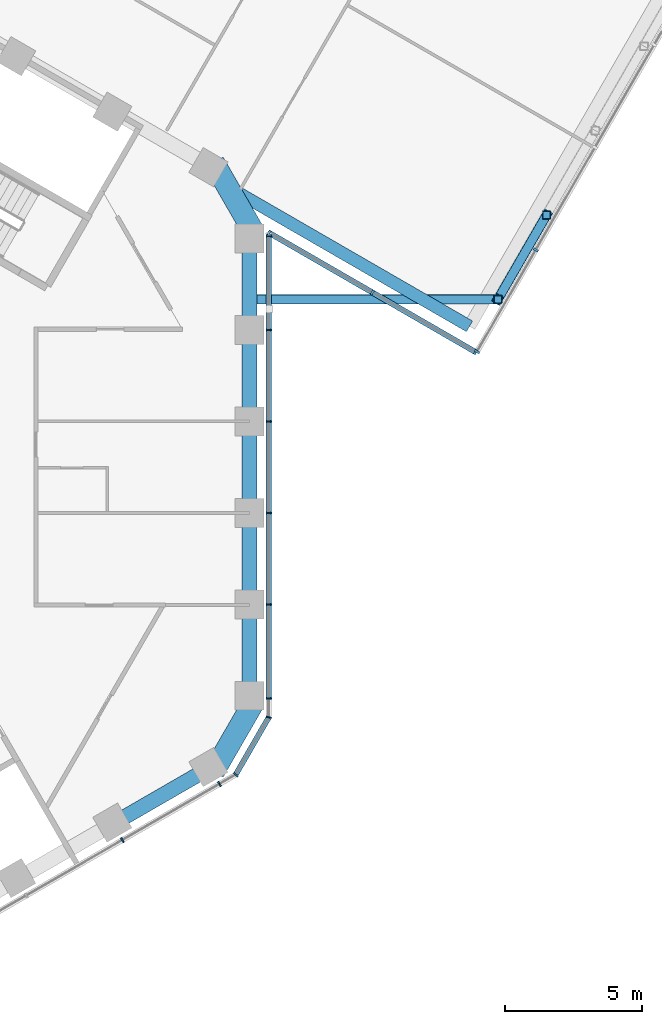
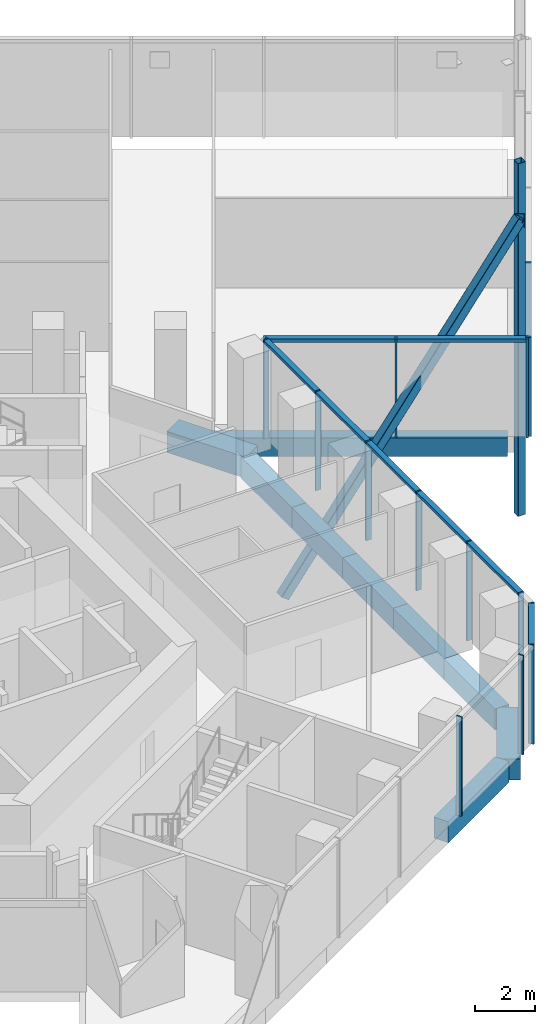
# One storey, part 5 of 25: 22 members, 9 beams, 5 elements without a shape of their own.
"""IFC4 building model written with IfcOpenShell, lengths in metres."""

from ifc_helpers import new_model, si_unit, direction, frame, origin, origin_2d, place, context, subcontext, project, spatial, rectangle, hollow_rectangle, extrude, material, layer, layer_set, material_profile, profile_set, type_object, element, aggregate, save


model = new_model("IFC4")

# Units and contexts
model_context = context("Model", 3, precision=1e-05, world=origin(), true_north=direction((0.0, 1.0)))
body_context = subcontext(model_context, "Body", "Model", "MODEL_VIEW")
ifc_project = project(units=[si_unit("LENGTHUNIT", "METRE"), si_unit("AREAUNIT", "SQUARE_METRE"), si_unit("VOLUMEUNIT", "CUBIC_METRE"), si_unit("PLANEANGLEUNIT", "RADIAN"), si_unit("MASSUNIT", "GRAM", prefix="KILO")], contexts=[model_context])

# Site, building, storey
site_placement = place(None, origin())
site = spatial("IfcSite", under=ifc_project, at=site_placement, CompositionType="ELEMENT")
building_placement = place(site_placement, origin())
building = spatial("IfcBuilding", under=site, at=building_placement, Name="Ayvan Gate Tower", CompositionType="ELEMENT")
storey_placement = place(building_placement, frame((0.0, 0.0, 139.89990234375)))
storey = spatial("IfcBuildingStorey", under=building, at=storey_placement, Name="L37", CompositionType="ELEMENT", Elevation=139.89990234375)

# Beams
ifc_material_1 = material(Name="Concrete C40/50", Category="concrete")
ifc_material_profile_1 = material_profile(ifc_material_1, rectangle(XDim=0.800048828125, YDim=0.85009765625, at=origin_2d()), Name="RC 800x850")
ifc_profile_set_1 = profile_set([ifc_material_profile_1], Name="Concrete C40/50")
beam_type_1 = type_object("IfcBeamType", Name="Corner spandrel beam RC 800x850 C40/50", PredefinedType="BEAM", material=ifc_profile_set_1)
for number, where, z_axis, x_axis, name in (
    (1, (19.676025390625, 8.499755859375, -0.824951171875), (-0.499990139034, 0.866031096941, 0.0), (-0.866031096941, -0.499990139034, 0.0), "SB-L37-6"),
    (2, (18.176025390625, -11.097900390625, -0.824951171875), (0.499990139034, 0.866031096941, 0.0), (-0.866031096941, 0.499990139034, 0.0), "SB-L37-36"),
):
    element("IfcBeam", number, at=place(storey_placement, frame(where, z_axis=z_axis, x_axis=x_axis)), inside=storey, type_object=beam_type_1, Name=name, PredefinedType="BEAM", context=body_context, shape_type="SweptSolid", body=[
        extrude(rectangle(XDim=0.800048828125, YDim=0.85009765625, at=origin_2d()), origin(), (0.0, 0.0, 1.0), 3.0),
    ])
ifc_material_profile_2 = material_profile(ifc_material_1, rectangle(XDim=0.449951171875, YDim=0.75, at=origin_2d()), Name="RC 450x750")
ifc_profile_set_2 = profile_set([ifc_material_profile_2], Name="Concrete C40/50")
beam_type_2 = type_object("IfcBeamType", Name="Sky bar edge beam RC 450x750 C40/50", PredefinedType="BEAM", material=ifc_profile_set_2)
beam_1_placement = place(storey_placement, frame((27.5, 5.131591796875, -0.77490234375), z_axis=(-0.866020719064, 0.500008114086, 0.0), x_axis=(-0.500008114086, -0.866020719064, 0.0)))
element("IfcBeam", 3, at=beam_1_placement, inside=storey, type_object=beam_type_2, Name="EB-B3-L37-9", PredefinedType="BEAM", context=body_context, shape_type="SweptSolid", body=[
    extrude(rectangle(XDim=0.449951171875, YDim=0.75, at=origin_2d()), origin(), (0.0, 0.0, 1.0), 9.962646484375),
])

# Members
ifc_material_2 = material(Name="Steel S460NH", Category="steel")
ifc_material_profile_3 = material_profile(ifc_material_2, hollow_rectangle(XDim=0.35009765625, YDim=0.35009765625, WallThickness=0.01611328125, InnerFilletRadius=0.01611328125, OuterFilletRadius=0.02392578125, at=origin_2d()), Name="RHS 350x350x16")
ifc_profile_set_3 = profile_set([ifc_material_profile_3], Name="Steel S460NH")
member_type_1 = type_object("IfcMemberType", Name="Sky bar truss brace B3 RHS 350x350x16", PredefinedType="BRACE", material=ifc_profile_set_3)
member_1_placement = place(storey_placement, frame((19.485595703125, 6.115478515625, -4.724853515625), z_axis=(0.598947295992, 0.0, 0.80078844686), x_axis=(0.0, 1.0, 0.0)))
element("IfcMember", 4, at=member_1_placement, inside=storey, type_object=member_type_1, Name="SBX3-B-D-1", PredefinedType="BRACE", context=body_context, shape_type="SweptSolid", body=[
    extrude(hollow_rectangle(XDim=0.35009765625, YDim=0.35009765625, WallThickness=0.01611328125, InnerFilletRadius=0.01611328125, OuterFilletRadius=0.02392578125, at=origin_2d()), origin(), (0.0, 0.0, 1.0), 15.10986328125),
])
member_2_placement = place(storey_placement, frame((28.53564453125, 6.115478515625, 7.375), z_axis=(0.140774545584, 0.243794949524, -0.959555391784), x_axis=(-0.865995461329, 0.500051858269, 0.0)))
element("IfcMember", 5, at=member_2_placement, inside=storey, type_object=member_type_1, Name="SBX3-B-D-2", PredefinedType="BRACE", context=body_context, shape_type="SweptSolid", body=[
    extrude(hollow_rectangle(XDim=0.35009765625, YDim=0.35009765625, WallThickness=0.01611328125, InnerFilletRadius=0.01611328125, OuterFilletRadius=0.02392578125, at=origin_2d()), origin(), (0.0, 0.0, 1.0), 12.60986328125),
])
ifc_material_profile_4 = material_profile(ifc_material_2, hollow_rectangle(XDim=0.300048828125, YDim=0.300048828125, WallThickness=0.01611328125, InnerFilletRadius=0.01611328125, OuterFilletRadius=0.02392578125, at=origin_2d()), Name="RHS 300x300x16")
ifc_profile_set_4 = profile_set([ifc_material_profile_4], Name="Steel S460NH")
member_type_2 = type_object("IfcMemberType", Name="Sky bar truss post B3 RHS 300x300x16", PredefinedType="POST", material=ifc_profile_set_4)
for number, where, z_axis, x_axis, name in (
    (6, (28.53564453125, 6.115478515625, -4.5498046875), (0.0, 0.0, 1.0), (1.0, 0.0, 0.0), "SBX3-B-P-1"),
    (7, (30.310791015625, 9.189697265625, -4.5498046875), (0.0, 0.0, 1.0), (1.0, 0.0, 0.0), "SBX3-B-P-2"),
):
    element("IfcMember", number, at=place(storey_placement, frame(where, z_axis=z_axis, x_axis=x_axis)), inside=storey, type_object=member_type_2, Name=name, PredefinedType="POST", context=body_context, shape_type="SweptSolid", body=[
        extrude(hollow_rectangle(XDim=0.300048828125, YDim=0.300048828125, WallThickness=0.01611328125, InnerFilletRadius=0.01611328125, OuterFilletRadius=0.02392578125, at=origin_2d()), origin(), (0.0, 0.0, 1.0), 11.75),
    ])

# Beams
ifc_material_profile_5 = material_profile(ifc_material_1, rectangle(XDim=0.550048828125, YDim=0.85009765625, at=origin_2d()), Name="RC 550x850")
ifc_profile_set_5 = profile_set([ifc_material_profile_5], Name="Concrete C40/50")
beam_type_3 = type_object("IfcBeamType", Name="Spandrel beam RC 550x850 C40/50", PredefinedType="BEAM", material=ifc_profile_set_5)
beam_2_placement = place(storey_placement, frame((19.485595703125, -8.3896484375, -0.824951171875), z_axis=(0.0, 1.0, 0.0), x_axis=(-1.0, 0.0, 0.0)))
element("IfcBeam", 8, at=beam_2_placement, inside=storey, type_object=beam_type_3, Name="SB-L37-1", PredefinedType="BEAM", context=body_context, shape_type="SweptSolid", body=[
    extrude(rectangle(XDim=0.550048828125, YDim=0.85009765625, at=origin_2d()), origin(), (0.0, 0.0, 1.0), 3.355712890625),
])
for number, where, z_axis, x_axis, name in (
    (9, (19.485595703125, -5.033935546875, -0.824951171875), (0.0, 1.0, 0.0), (-1.0, 0.0, 0.0), "SB-L37-2"),
    (10, (19.485595703125, -1.677978515625, -0.824951171875), (0.0, 1.0, 0.0), (-1.0, 0.0, 0.0), "SB-L37-3"),
    (11, (19.485595703125, 1.677978515625, -0.824951171875), (0.0, 1.0, 0.0), (-1.0, 0.0, 0.0), "SB-L37-4"),
):
    element("IfcBeam", number, at=place(storey_placement, frame(where, z_axis=z_axis, x_axis=x_axis)), inside=storey, type_object=beam_type_3, Name=name, PredefinedType="BEAM", context=body_context, shape_type="SweptSolid", body=[
        extrude(rectangle(XDim=0.550048828125, YDim=0.85009765625, at=origin_2d()), origin(), (0.0, 0.0, 1.0), 3.35595703125),
    ])
beam_3_placement = place(storey_placement, frame((19.485595703125, 5.033935546875, -0.824951171875), z_axis=(0.0, 1.0, 0.0), x_axis=(-1.0, 0.0, 0.0)))
element("IfcBeam", 12, at=beam_3_placement, inside=storey, type_object=beam_type_3, Name="SB-L37-5", PredefinedType="BEAM", context=body_context, shape_type="SweptSolid", body=[
    extrude(rectangle(XDim=0.550048828125, YDim=0.85009765625, at=origin_2d()), origin(), (0.0, 0.0, 1.0), 3.355712890625),
])
beam_4_placement = place(storey_placement, frame((14.4931640625, -13.004150390625, -0.824951171875), z_axis=(0.86602528846, 0.500000199748, 0.0), x_axis=(-0.500000199748, 0.86602528846, 0.0)))
element("IfcBeam", 13, at=beam_4_placement, inside=storey, type_object=beam_type_3, Name="SB-L37-35", PredefinedType="BEAM", context=body_context, shape_type="SweptSolid", body=[
    extrude(rectangle(XDim=0.550048828125, YDim=0.85009765625, at=origin_2d()), origin(), (0.0, 0.0, 1.0), 4.03271484375),
])

# Curtain wall, members
ifc_material_3 = material(Name="Bronze anodised aluminium", Category="aluminium")
ifc_layer_1 = layer(ifc_material_3, 0.199951171875)
ifc_layer_set_1 = layer_set([ifc_layer_1], Name="Bronze anodised aluminium")
curtain_wall_type_1 = type_object("IfcCurtainWallType", Name="Stick curtain wall CW-1", PredefinedType="NOTDEFINED", material=ifc_layer_set_1)
curtain_wall_1_placement = place(storey_placement, origin())
curtain_wall_1 = element("IfcCurtainWall", 14, at=curtain_wall_1_placement, inside=storey, type_object=curtain_wall_type_1, Name="Stick curtain wall CW-1 L37", PredefinedType="NOTDEFINED")
ifc_material_profile_6 = material_profile(ifc_material_3, rectangle(XDim=0.199951171875, YDim=0.06005859375, at=origin_2d()), Name="Stick curtain wall CW-1 mullion 200 x 60")
ifc_profile_set_6 = profile_set([ifc_material_profile_6], Name="Bronze anodised aluminium")
member_type_3 = type_object("IfcMemberType", Name="Stick curtain wall CW-1 mullion 200 x 60", PredefinedType="MULLION", material=ifc_profile_set_6)
member_3_placement = place(storey_placement, frame((14.850830078125, -13.58935546875, 0.0), z_axis=(0.0, 0.0, 1.0), x_axis=(0.5, -0.866025403784, 0.0)))
member_3 = element("IfcMember", 15, at=member_3_placement, type_object=member_type_3, Name="CW-1 mullion 5", PredefinedType="MULLION", context=body_context, shape_type="SweptSolid", body=[
    extrude(rectangle(XDim=0.199951171875, YDim=0.06005859375, at=origin_2d()), origin(), (0.0, 0.0, 1.0), 4.0),
])
member_4_placement = place(storey_placement, frame((18.389404296875, -11.54638671875, 0.0), z_axis=(0.0, 0.0, 1.0), x_axis=(0.5, -0.866025403784, 0.0)))
member_4 = element("IfcMember", 16, at=member_4_placement, type_object=member_type_3, Name="CW-1 mullion 6", PredefinedType="MULLION", context=body_context, shape_type="SweptSolid", body=[
    extrude(rectangle(XDim=0.199951171875, YDim=0.06005859375, at=origin_2d()), origin(), (0.0, 0.0, 1.0), 4.0),
])
aggregate(curtain_wall_1, [member_3, member_4])

curtain_wall_2_placement = place(storey_placement, origin())
curtain_wall_2 = element("IfcCurtainWall", 17, at=curtain_wall_2_placement, inside=storey, type_object=curtain_wall_type_1, Name="Stick curtain wall CW-1 L37", PredefinedType="NOTDEFINED")
member_5_placement = place(storey_placement, frame((20.185546875, -8.435302734375, 0.0), z_axis=(0.0, 0.0, 1.0), x_axis=(1.0, 0.0, 0.0)))
member_5 = element("IfcMember", 18, at=member_5_placement, type_object=member_type_3, Name="CW-1 mullion 1", PredefinedType="MULLION", context=body_context, shape_type="SweptSolid", body=[
    extrude(rectangle(XDim=0.199951171875, YDim=0.06005859375, at=origin_2d()), origin(), (0.0, 0.0, 1.0), 4.0),
])
member_6_placement = place(storey_placement, frame((20.185546875, -4.999267578125, 0.0), z_axis=(0.0, 0.0, 1.0), x_axis=(1.0, 0.0, 0.0)))
member_6 = element("IfcMember", 19, at=member_6_placement, type_object=member_type_3, Name="CW-1 mullion 2", PredefinedType="MULLION", context=body_context, shape_type="SweptSolid", body=[
    extrude(rectangle(XDim=0.199951171875, YDim=0.06005859375, at=origin_2d()), origin(), (0.0, 0.0, 1.0), 4.0),
])
member_7_placement = place(storey_placement, frame((20.185546875, -1.666259765625, 0.0), z_axis=(0.0, 0.0, 1.0), x_axis=(1.0, 0.0, 0.0)))
member_7 = element("IfcMember", 20, at=member_7_placement, type_object=member_type_3, Name="CW-1 mullion 3", PredefinedType="MULLION", context=body_context, shape_type="SweptSolid", body=[
    extrude(rectangle(XDim=0.199951171875, YDim=0.06005859375, at=origin_2d()), origin(), (0.0, 0.0, 1.0), 4.0),
])
member_8_placement = place(storey_placement, frame((20.185546875, 1.666748046875, 0.0), z_axis=(0.0, 0.0, 1.0), x_axis=(1.0, 0.0, 0.0)))
member_8 = element("IfcMember", 21, at=member_8_placement, type_object=member_type_3, Name="CW-1 mullion 4", PredefinedType="MULLION", context=body_context, shape_type="SweptSolid", body=[
    extrude(rectangle(XDim=0.199951171875, YDim=0.06005859375, at=origin_2d()), origin(), (0.0, 0.0, 1.0), 4.0),
])
member_9_placement = place(storey_placement, frame((20.185546875, 4.999755859375, 0.0), z_axis=(0.0, 0.0, 1.0), x_axis=(1.0, 0.0, 0.0)))
member_9 = element("IfcMember", 22, at=member_9_placement, type_object=member_type_3, Name="CW-1 mullion 5", PredefinedType="MULLION", context=body_context, shape_type="SweptSolid", body=[
    extrude(rectangle(XDim=0.199951171875, YDim=0.06005859375, at=origin_2d()), origin(), (0.0, 0.0, 1.0), 4.0),
])
member_10_placement = place(storey_placement, frame((20.185546875, 8.435302734375, 0.0), z_axis=(0.0, 0.0, 1.0), x_axis=(1.0, 0.0, 0.0)))
member_10 = element("IfcMember", 23, at=member_10_placement, type_object=member_type_3, Name="CW-1 mullion 6", PredefinedType="MULLION", context=body_context, shape_type="SweptSolid", body=[
    extrude(rectangle(XDim=0.199951171875, YDim=0.06005859375, at=origin_2d()), origin(), (0.0, 0.0, 1.0), 4.0),
])
ifc_material_profile_7 = material_profile(ifc_material_3, rectangle(XDim=0.199951171875, YDim=0.1201171875, at=origin_2d()), Name="Stick curtain wall CW-1 transom 200 x 120")
ifc_profile_set_7 = profile_set([ifc_material_profile_7], Name="Bronze anodised aluminium")
member_type_4 = type_object("IfcMemberType", Name="Stick curtain wall CW-1 transom 200 x 120", PredefinedType="USERDEFINED", material=ifc_profile_set_7)
member_11_placement = place(storey_placement, frame((20.185546875, -8.435302734375, 3.940185546875), z_axis=(0.0, 1.0, 0.0), x_axis=(-1.0, 0.0, 0.0)))
member_11 = element("IfcMember", 24, at=member_11_placement, type_object=member_type_4, Name="CW-1 transom 1", ObjectType="TRANSOM", PredefinedType="USERDEFINED", context=body_context, shape_type="SweptSolid", body=[
    extrude(rectangle(XDim=0.199951171875, YDim=0.1201171875, at=origin_2d()), origin(), (0.0, 0.0, 1.0), 16.87060546875),
])
aggregate(curtain_wall_2, [member_5, member_6, member_7, member_8, member_9, member_10, member_11])

ifc_layer_2 = layer(ifc_material_3, 0.199951171875)
ifc_layer_set_2 = layer_set([ifc_layer_2], Name="Bronze anodised aluminium")
curtain_wall_type_2 = type_object("IfcCurtainWallType", Name="Stick curtain wall CW-4", PredefinedType="NOTDEFINED", material=ifc_layer_set_2)
curtain_wall_3_placement = place(storey_placement, origin())
curtain_wall_3 = element("IfcCurtainWall", 25, at=curtain_wall_3_placement, inside=storey, type_object=curtain_wall_type_2, Name="Stick curtain wall CW-4 L37", PredefinedType="NOTDEFINED")
ifc_material_profile_8 = material_profile(ifc_material_3, rectangle(XDim=0.199951171875, YDim=0.080078125, at=origin_2d()), Name="Stick curtain wall CW-4 mullion 200 x 80")
ifc_profile_set_8 = profile_set([ifc_material_profile_8], Name="Bronze anodised aluminium")
member_type_5 = type_object("IfcMemberType", Name="Stick curtain wall CW-4 mullion 200 x 80", PredefinedType="MULLION", material=ifc_profile_set_8)
member_12_placement = place(storey_placement, frame((20.194580078125, 8.541259765625, 0.0), z_axis=(0.0, 0.0, 1.0), x_axis=(-0.5, -0.866025403784, 0.0)))
member_12 = element("IfcMember", 26, at=member_12_placement, type_object=member_type_5, Name="CW-4 mullion 1", PredefinedType="MULLION", context=body_context, shape_type="SweptSolid", body=[
    extrude(rectangle(XDim=0.199951171875, YDim=0.080078125, at=origin_2d()), origin(), (0.0, 0.0, 1.0), 4.0),
])
member_13_placement = place(storey_placement, frame((23.9580078125, 6.3681640625, 0.0), z_axis=(0.0, 0.0, 1.0), x_axis=(-0.5, -0.866025403784, 0.0)))
member_13 = element("IfcMember", 27, at=member_13_placement, type_object=member_type_5, Name="CW-4 mullion 2", PredefinedType="MULLION", context=body_context, shape_type="SweptSolid", body=[
    extrude(rectangle(XDim=0.199951171875, YDim=0.080078125, at=origin_2d()), origin(), (0.0, 0.0, 1.0), 4.0),
])
member_14_placement = place(storey_placement, frame((27.7216796875, 4.1953125, 0.0), z_axis=(0.0, 0.0, 1.0), x_axis=(-0.5, -0.866025403784, 0.0)))
member_14 = element("IfcMember", 28, at=member_14_placement, type_object=member_type_5, Name="CW-4 mullion 3", PredefinedType="MULLION", context=body_context, shape_type="SweptSolid", body=[
    extrude(rectangle(XDim=0.199951171875, YDim=0.080078125, at=origin_2d()), origin(), (0.0, 0.0, 1.0), 4.0),
])

curtain_wall_4_placement = place(storey_placement, origin())
curtain_wall_4 = element("IfcCurtainWall", 29, at=curtain_wall_4_placement, inside=storey, type_object=curtain_wall_type_2, Name="Stick curtain wall CW-4 L37", PredefinedType="NOTDEFINED")
member_15_placement = place(storey_placement, frame((27.7763671875, 4.2099609375, 0.0), z_axis=(0.0, 0.0, 1.0), x_axis=(0.866025403784, -0.5, 0.0)))
member_15 = element("IfcMember", 30, at=member_15_placement, type_object=member_type_5, Name="CW-4 mullion 1", PredefinedType="MULLION", context=body_context, shape_type="SweptSolid", body=[
    extrude(rectangle(XDim=0.199951171875, YDim=0.080078125, at=origin_2d()), origin(), (0.0, 0.0, 1.0), 4.0),
])
member_16_placement = place(storey_placement, frame((29.9150390625, 7.914306640625, 0.0), z_axis=(0.0, 0.0, 1.0), x_axis=(0.866025403784, -0.5, 0.0)))
member_16 = element("IfcMember", 31, at=member_16_placement, type_object=member_type_5, Name="CW-4 mullion 2", PredefinedType="MULLION", context=body_context, shape_type="SweptSolid", body=[
    extrude(rectangle(XDim=0.199951171875, YDim=0.080078125, at=origin_2d()), origin(), (0.0, 0.0, 1.0), 4.0),
])
aggregate(curtain_wall_4, [member_15, member_16])

# Member
ifc_material_profile_9 = material_profile(ifc_material_3, rectangle(XDim=0.199951171875, YDim=0.139892578125, at=origin_2d()), Name="Stick curtain wall CW-4 transom 200 x 140")
ifc_profile_set_9 = profile_set([ifc_material_profile_9], Name="Bronze anodised aluminium")
member_type_6 = type_object("IfcMemberType", Name="Stick curtain wall CW-4 transom 200 x 140", PredefinedType="USERDEFINED", material=ifc_profile_set_9)
member_17_placement = place(storey_placement, frame((20.194580078125, 8.541259765625, 3.93017578125), z_axis=(0.866016721117, -0.50001503852, 0.0), x_axis=(0.50001503852, 0.866016721117, 0.0)))
member_17 = element("IfcMember", 32, at=member_17_placement, type_object=member_type_6, Name="CW-4 transom 1", ObjectType="TRANSOM", PredefinedType="USERDEFINED", context=body_context, shape_type="SweptSolid", body=[
    extrude(rectangle(XDim=0.199951171875, YDim=0.139892578125, at=origin_2d()), origin(), (0.0, 0.0, 1.0), 8.691650390625),
])

aggregate(curtain_wall_3, [member_12, member_13, member_14, member_17])

# Curtain wall, members
ifc_layer_3 = layer(ifc_material_3, 0.199951171875)
ifc_layer_set_3 = layer_set([ifc_layer_3], Name="Bronze anodised aluminium")
curtain_wall_type_3 = type_object("IfcCurtainWallType", Name="Stick curtain wall CW-6", PredefinedType="NOTDEFINED", material=ifc_layer_set_3)
curtain_wall_5_placement = place(storey_placement, origin())
curtain_wall_5 = element("IfcCurtainWall", 33, at=curtain_wall_5_placement, inside=storey, type_object=curtain_wall_type_3, Name="Stick curtain wall CW-6 L37", PredefinedType="NOTDEFINED")
ifc_material_profile_10 = material_profile(ifc_material_3, rectangle(XDim=0.199951171875, YDim=0.050048828125, at=origin_2d()), Name="Stick curtain wall CW-6 mullion 200 x 50")
ifc_profile_set_10 = profile_set([ifc_material_profile_10], Name="Bronze anodised aluminium")
member_type_7 = type_object("IfcMemberType", Name="Stick curtain wall CW-6 mullion 200 x 50", PredefinedType="MULLION", material=ifc_profile_set_10)
member_18_placement = place(storey_placement, frame((18.978271484375, -11.206298828125, 0.0), z_axis=(0.0, 0.0, 1.0), x_axis=(0.707106781187, -0.707106781187, 0.0)))
member_18 = element("IfcMember", 34, at=member_18_placement, type_object=member_type_7, Name="CW-6 mullion 2", PredefinedType="MULLION", context=body_context, shape_type="SweptSolid", body=[
    extrude(rectangle(XDim=0.199951171875, YDim=0.050048828125, at=origin_2d()), origin(), (0.0, 0.0, 1.0), 4.0),
])
member_19_placement = place(storey_placement, frame((20.185546875, -9.115234375, 0.0), z_axis=(0.0, 0.0, 1.0), x_axis=(0.965925826289, -0.258819045103, 0.0)))
member_19 = element("IfcMember", 35, at=member_19_placement, type_object=member_type_7, Name="CW-6 mullion 3", PredefinedType="MULLION", context=body_context, shape_type="SweptSolid", body=[
    extrude(rectangle(XDim=0.199951171875, YDim=0.050048828125, at=origin_2d()), origin(), (0.0, 0.0, 1.0), 4.0),
])
ifc_material_profile_11 = material_profile(ifc_material_3, rectangle(XDim=0.199951171875, YDim=0.1201171875, at=origin_2d()), Name="Stick curtain wall CW-6 transom 200 x 120")
ifc_profile_set_11 = profile_set([ifc_material_profile_11], Name="Bronze anodised aluminium")
member_type_8 = type_object("IfcMemberType", Name="Stick curtain wall CW-6 transom 200 x 120", PredefinedType="USERDEFINED", material=ifc_profile_set_11)
member_20_placement = place(storey_placement, frame((18.99072265625, -11.1845703125, 3.940185546875), z_axis=(0.500059108572, 0.865991274745, 0.0), x_axis=(-0.865991274745, 0.500059108572, 0.0)))
member_20 = element("IfcMember", 36, at=member_20_placement, type_object=member_type_8, Name="CW-6 transom 2", ObjectType="TRANSOM", PredefinedType="USERDEFINED", context=body_context, shape_type="SweptSolid", body=[
    extrude(rectangle(XDim=0.199951171875, YDim=0.1201171875, at=origin_2d()), origin(), (0.0, 0.0, 1.0), 2.364501953125),
])
aggregate(curtain_wall_5, [member_18, member_19, member_20])

save(model, "model.ifc")
